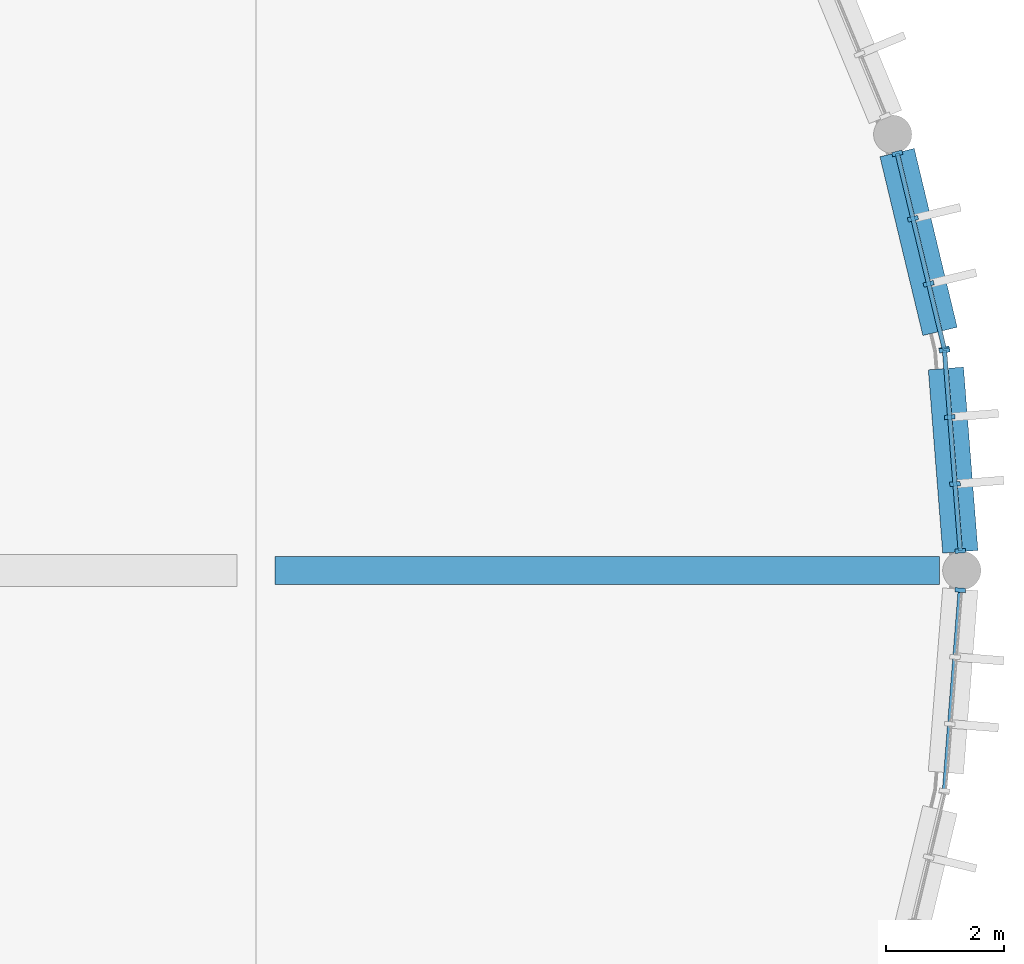
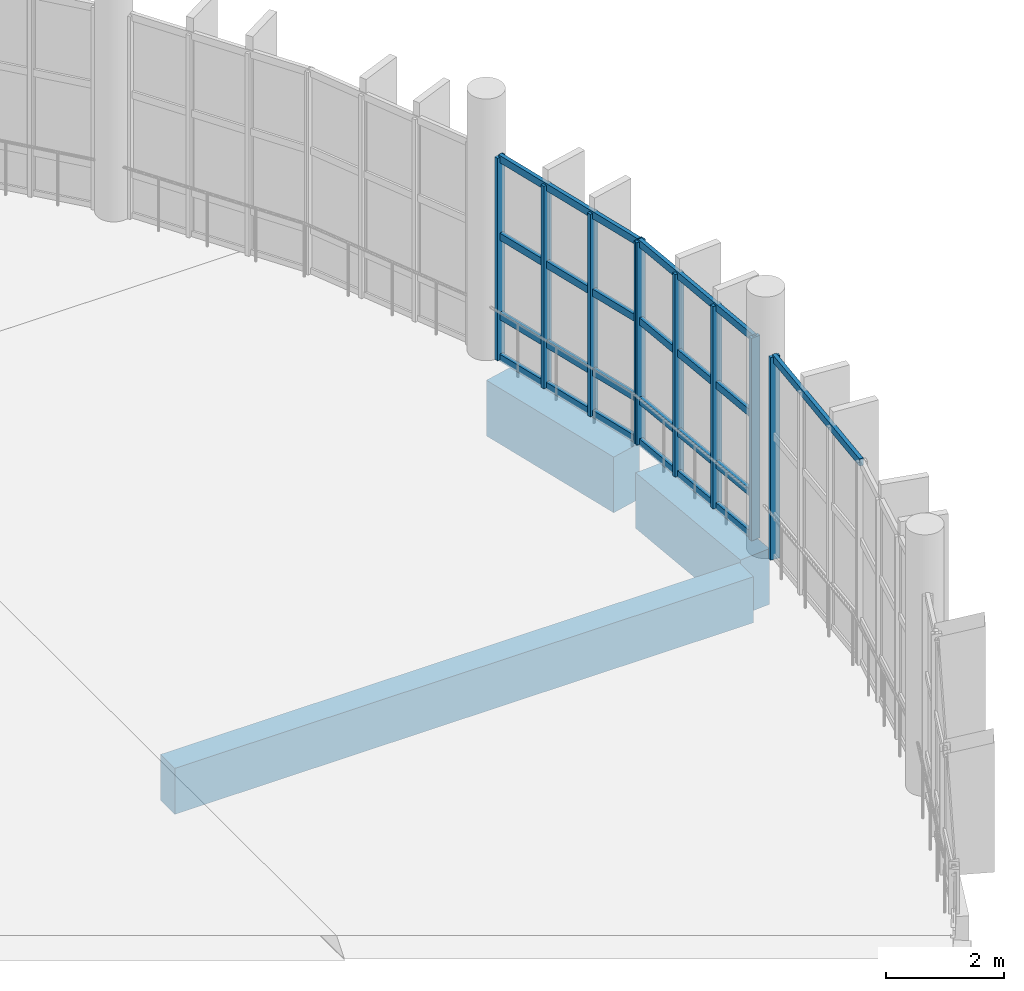
# One storey, part 50 of 112: 18 members, 3 beams, 3 elements without a shape of their own.
"""IFC4 building model written with IfcOpenShell, lengths in metres."""

from ifc_helpers import new_model, si_unit, direction, frame, origin, origin_2d, place, context, subcontext, project, spatial, rectangle, extrude, material, material_profile, profile_set, type_object, element, aggregate, save


model = new_model("IFC4")

# Units and contexts
model_context = context("Model", 3, precision=1e-05, world=origin(), true_north=direction((0.0, 1.0)))
body_context = subcontext(model_context, "Body", "Model", "MODEL_VIEW")
ifc_project = project(units=[si_unit("LENGTHUNIT", "METRE"), si_unit("AREAUNIT", "SQUARE_METRE"), si_unit("VOLUMEUNIT", "CUBIC_METRE"), si_unit("PLANEANGLEUNIT", "RADIAN"), si_unit("MASSUNIT", "GRAM", prefix="KILO")], contexts=[model_context])

# Site, building, storey
site_placement = place(None, origin())
site = spatial("IfcSite", under=ifc_project, at=site_placement, CompositionType="ELEMENT")
building_placement = place(site_placement, origin())
building = spatial("IfcBuilding", under=site, at=building_placement, Name="Kamomehara Wholesale Market", CompositionType="ELEMENT")
storey_placement = place(building_placement, frame((0.0, 0.0, 6.60009765625)))
storey = spatial("IfcBuildingStorey", under=building, at=storey_placement, Name="L01", CompositionType="ELEMENT", Elevation=6.60009765625)

# Beams
ifc_material_1 = material(Name="Precast concrete Fc45 (C40/50)", Category="concrete")
ifc_material_profile_1 = material_profile(ifc_material_1, rectangle(XDim=0.47998046875, YDim=0.949951171875, at=origin_2d()), Name="PC-GRD-480x950")
ifc_profile_set_1 = profile_set([ifc_material_profile_1], Name="Precast concrete Fc45 (C40/50)")
beam_type_1 = type_object("IfcBeamType", Name="BM-PG950", PredefinedType="T_BEAM", material=ifc_profile_set_1)
beam_1_placement = place(storey_placement, frame((192.324951171875, 132.0, -0.797119140625), z_axis=(1.0, 0.0, 0.0), x_axis=(0.0, 1.0, 0.0)))
element("IfcBeam", 1, at=beam_1_placement, inside=storey, type_object=beam_type_1, Name="Beam PG-16 L01", PredefinedType="T_BEAM", context=body_context, shape_type="SweptSolid", body=[
    extrude(rectangle(XDim=0.47998046875, YDim=0.949951171875, at=origin_2d()), origin(), (0.0, 0.0, 1.0), 11.300048828125),
])
ifc_material_2 = material(Name="Concrete Fc36 (C35/45)", Category="concrete")
ifc_material_profile_2 = material_profile(ifc_material_2, rectangle(XDim=0.60009765625, YDim=1.14990234375, at=origin_2d()), Name="RC-SEB-600x1150")
ifc_profile_set_2 = profile_set([ifc_material_profile_2], Name="Concrete Fc36 (C35/45)")
beam_type_2 = type_object("IfcBeamType", Name="BM-SEB1150-EXT", PredefinedType="SPANDREL", material=ifc_profile_set_2)
beam_2_placement = place(storey_placement, frame((203.97509765625, 132.319091796875, -0.897216796875), z_axis=(-0.078422618872, 0.996920203852, 0.0), x_axis=(-0.996920203852, -0.078422618872, 0.0)))
element("IfcBeam", 2, at=beam_2_placement, inside=storey, type_object=beam_type_2, Name="Beam SEB-02E L01", PredefinedType="SPANDREL", context=body_context, shape_type="SweptSolid", body=[
    extrude(rectangle(XDim=0.60009765625, YDim=1.14990234375, at=origin_2d()), origin(), (0.0, 0.0, 1.0), 3.12548828125),
])
beam_3_placement = place(storey_placement, frame((203.6298828125, 136.06494140625, -0.897216796875), z_axis=(-0.233485181261, 0.972360360222, 0.0), x_axis=(-0.972360360222, -0.233485181261, 0.0)))
element("IfcBeam", 3, at=beam_3_placement, inside=storey, type_object=beam_type_2, Name="Beam SEB-02E L01", PredefinedType="SPANDREL", context=body_context, shape_type="SweptSolid", body=[
    extrude(rectangle(XDim=0.60009765625, YDim=1.14990234375, at=origin_2d()), origin(), (0.0, 0.0, 1.0), 3.12646484375),
])

# Curtain wall, members
ifc_material_3 = material(Name="Anodised aluminium 6063-T5", Category="aluminium")
curtain_wall_type = type_object("IfcCurtainWallType", Name="CW-UN-05", PredefinedType="NOTDEFINED", material=ifc_material_3)
curtain_wall_1_placement = place(storey_placement, origin())
curtain_wall_1 = element("IfcCurtainWall", 4, at=curtain_wall_1_placement, inside=storey, type_object=curtain_wall_type, Name="Unitised curtain wall CW-105", PredefinedType="NOTDEFINED")
ifc_material_4 = material(Name="Anodised aluminium 6063-T5", Category="aluminium")
ifc_material_profile_3 = material_profile(ifc_material_4, rectangle(XDim=0.074951171875, YDim=0.179931640625, at=origin_2d()), Name="ALU-MUL-75x180")
ifc_profile_set_3 = profile_set([ifc_material_profile_3], Name="Anodised aluminium 6063-T5")
member_type_1 = type_object("IfcMemberType", Name="CW-MUL-180", PredefinedType="MULLION", material=ifc_profile_set_3)
member_1_placement = place(storey_placement, frame((202.903076171875, 139.090087890625, 0.0), z_axis=(0.0, 0.0, 1.0), x_axis=(0.233859436457, -0.972270417106, 0.0)))
member_1 = element("IfcMember", 5, at=member_1_placement, type_object=member_type_1, Name="Mullion CW-105.0", PredefinedType="MULLION", context=body_context, shape_type="SweptSolid", body=[
    extrude(rectangle(XDim=0.074951171875, YDim=0.179931640625, at=origin_2d()), origin(), (0.0, 0.0, 1.0), 4.179931640625),
])
member_2_placement = place(storey_placement, frame((203.169921875, 137.98095703125, 0.0), z_axis=(0.0, 0.0, 1.0), x_axis=(0.233859436457, -0.972270417106, 0.0)))
member_2 = element("IfcMember", 6, at=member_2_placement, type_object=member_type_1, Name="Mullion CW-105.1", PredefinedType="MULLION", context=body_context, shape_type="SweptSolid", body=[
    extrude(rectangle(XDim=0.074951171875, YDim=0.179931640625, at=origin_2d()), origin(), (0.0, 0.0, 1.0), 4.179931640625),
])
member_3_placement = place(storey_placement, frame((203.43603515625, 136.873046875, 0.0), z_axis=(0.0, 0.0, 1.0), x_axis=(0.233859436457, -0.972270417106, 0.0)))
member_3 = element("IfcMember", 7, at=member_3_placement, type_object=member_type_1, Name="Mullion CW-105.2", PredefinedType="MULLION", context=body_context, shape_type="SweptSolid", body=[
    extrude(rectangle(XDim=0.074951171875, YDim=0.179931640625, at=origin_2d()), origin(), (0.0, 0.0, 1.0), 4.179931640625),
])
member_4_placement = place(storey_placement, frame((203.702880859375, 135.763916015625, 0.0), z_axis=(0.0, 0.0, 1.0), x_axis=(0.233859436457, -0.972270417106, 0.0)))
member_4 = element("IfcMember", 8, at=member_4_placement, type_object=member_type_1, Name="Mullion CW-105.3", PredefinedType="MULLION", context=body_context, shape_type="SweptSolid", body=[
    extrude(rectangle(XDim=0.074951171875, YDim=0.179931640625, at=origin_2d()), origin(), (0.0, 0.0, 1.0), 4.179931640625),
])

curtain_wall_2_placement = place(storey_placement, origin())
curtain_wall_2 = element("IfcCurtainWall", 9, at=curtain_wall_2_placement, inside=storey, type_object=curtain_wall_type, Name="Unitised curtain wall CW-106", PredefinedType="NOTDEFINED")
member_5_placement = place(storey_placement, frame((203.7060546875, 135.743896484375, 0.0), z_axis=(0.0, 0.0, 1.0), x_axis=(0.078351218432, -0.996925817988, 0.0)))
member_5 = element("IfcMember", 10, at=member_5_placement, type_object=member_type_1, Name="Mullion CW-106.0", PredefinedType="MULLION", context=body_context, shape_type="SweptSolid", body=[
    extrude(rectangle(XDim=0.074951171875, YDim=0.179931640625, at=origin_2d()), origin(), (0.0, 0.0, 1.0), 4.179931640625),
])
member_6_placement = place(storey_placement, frame((203.794921875, 134.60693359375, 0.0), z_axis=(0.0, 0.0, 1.0), x_axis=(0.078351218432, -0.996925817988, 0.0)))
member_6 = element("IfcMember", 11, at=member_6_placement, type_object=member_type_1, Name="Mullion CW-106.1", PredefinedType="MULLION", context=body_context, shape_type="SweptSolid", body=[
    extrude(rectangle(XDim=0.074951171875, YDim=0.179931640625, at=origin_2d()), origin(), (0.0, 0.0, 1.0), 4.179931640625),
])
member_7_placement = place(storey_placement, frame((203.885009765625, 133.470947265625, 0.0), z_axis=(0.0, 0.0, 1.0), x_axis=(0.078351218432, -0.996925817988, 0.0)))
member_7 = element("IfcMember", 12, at=member_7_placement, type_object=member_type_1, Name="Mullion CW-106.2", PredefinedType="MULLION", context=body_context, shape_type="SweptSolid", body=[
    extrude(rectangle(XDim=0.074951171875, YDim=0.179931640625, at=origin_2d()), origin(), (0.0, 0.0, 1.0), 4.179931640625),
])
member_8_placement = place(storey_placement, frame((203.97412109375, 132.333984375, 0.0), z_axis=(0.0, 0.0, 1.0), x_axis=(0.078351218432, -0.996925817988, 0.0)))
member_8 = element("IfcMember", 13, at=member_8_placement, type_object=member_type_1, Name="Mullion CW-106.3", PredefinedType="MULLION", context=body_context, shape_type="SweptSolid", body=[
    extrude(rectangle(XDim=0.074951171875, YDim=0.179931640625, at=origin_2d()), origin(), (0.0, 0.0, 1.0), 4.179931640625),
])

# Curtain wall, member
curtain_wall_3_placement = place(storey_placement, origin())
curtain_wall_3 = element("IfcCurtainWall", 14, at=curtain_wall_3_placement, inside=storey, type_object=curtain_wall_type, Name="Unitised curtain wall CW-107", PredefinedType="NOTDEFINED")
member_9_placement = place(storey_placement, frame((203.97412109375, 131.666015625, 0.0), z_axis=(0.0, 0.0, 1.0), x_axis=(-0.078351218432, -0.996925817988, 0.0)))
member_9 = element("IfcMember", 15, at=member_9_placement, type_object=member_type_1, Name="Mullion CW-107.0", PredefinedType="MULLION", context=body_context, shape_type="SweptSolid", body=[
    extrude(rectangle(XDim=0.074951171875, YDim=0.179931640625, at=origin_2d()), origin(), (0.0, 0.0, 1.0), 4.179931640625),
])

# Member
ifc_material_5 = material(Name="Anodised aluminium 6063-T5", Category="aluminium")
ifc_material_profile_4 = material_profile(ifc_material_5, rectangle(XDim=0.074951171875, YDim=0.14990234375, at=origin_2d()), Name="ALU-TRN-75x150")
ifc_profile_set_4 = profile_set([ifc_material_profile_4], Name="Anodised aluminium 6063-T5")
member_type_2 = type_object("IfcMemberType", Name="CW-TRN-150", PredefinedType="USERDEFINED", material=ifc_profile_set_4)
member_10_placement = place(storey_placement, frame((202.903076171875, 139.090087890625, 0.039794921875), z_axis=(0.23379399896, -0.972286154406, 0.0), x_axis=(0.972286154406, 0.23379399896, 0.0)))
member_10 = element("IfcMember", 16, at=member_10_placement, type_object=member_type_2, Name="Transom CW-105.0", ObjectType="TRANSOM", PredefinedType="USERDEFINED", context=body_context, shape_type="SweptSolid", body=[
    extrude(rectangle(XDim=0.074951171875, YDim=0.14990234375, at=origin_2d()), origin(), (0.0, 0.0, 1.0), 3.4208984375),
])

member_11_placement = place(storey_placement, frame((202.903076171875, 139.090087890625, 0.89990234375), z_axis=(0.23379399896, -0.972286154406, 0.0), x_axis=(0.972286154406, 0.23379399896, 0.0)))
member_11 = element("IfcMember", 17, at=member_11_placement, type_object=member_type_2, Name="Transom CW-105.1", ObjectType="TRANSOM", PredefinedType="USERDEFINED", context=body_context, shape_type="SweptSolid", body=[
    extrude(rectangle(XDim=0.074951171875, YDim=0.14990234375, at=origin_2d()), origin(), (0.0, 0.0, 1.0), 3.4208984375),
])

member_12_placement = place(storey_placement, frame((202.903076171875, 139.090087890625, 2.539794921875), z_axis=(0.23379399896, -0.972286154406, 0.0), x_axis=(0.972286154406, 0.23379399896, 0.0)))
member_12 = element("IfcMember", 18, at=member_12_placement, type_object=member_type_2, Name="Transom CW-105.2", ObjectType="TRANSOM", PredefinedType="USERDEFINED", context=body_context, shape_type="SweptSolid", body=[
    extrude(rectangle(XDim=0.074951171875, YDim=0.14990234375, at=origin_2d()), origin(), (0.0, 0.0, 1.0), 3.4208984375),
])

member_13_placement = place(storey_placement, frame((202.903076171875, 139.090087890625, 4.139892578125), z_axis=(0.23379399896, -0.972286154406, 0.0), x_axis=(0.972286154406, 0.23379399896, 0.0)))
member_13 = element("IfcMember", 19, at=member_13_placement, type_object=member_type_2, Name="Transom CW-105.3", ObjectType="TRANSOM", PredefinedType="USERDEFINED", context=body_context, shape_type="SweptSolid", body=[
    extrude(rectangle(XDim=0.074951171875, YDim=0.14990234375, at=origin_2d()), origin(), (0.0, 0.0, 1.0), 3.4208984375),
])

aggregate(curtain_wall_1, [member_1, member_2, member_3, member_4, member_10, member_11, member_12, member_13])

member_14_placement = place(storey_placement, frame((203.7060546875, 135.743896484375, 0.039794921875), z_axis=(0.078372073333, -0.996924178723, 0.0), x_axis=(0.996924178723, 0.078372073333, 0.0)))
member_14 = element("IfcMember", 20, at=member_14_placement, type_object=member_type_2, Name="Transom CW-106.0", ObjectType="TRANSOM", PredefinedType="USERDEFINED", context=body_context, shape_type="SweptSolid", body=[
    extrude(rectangle(XDim=0.074951171875, YDim=0.14990234375, at=origin_2d()), origin(), (0.0, 0.0, 1.0), 3.42041015625),
])

member_15_placement = place(storey_placement, frame((203.7060546875, 135.743896484375, 0.89990234375), z_axis=(0.078372073333, -0.996924178723, 0.0), x_axis=(0.996924178723, 0.078372073333, 0.0)))
member_15 = element("IfcMember", 21, at=member_15_placement, type_object=member_type_2, Name="Transom CW-106.1", ObjectType="TRANSOM", PredefinedType="USERDEFINED", context=body_context, shape_type="SweptSolid", body=[
    extrude(rectangle(XDim=0.074951171875, YDim=0.14990234375, at=origin_2d()), origin(), (0.0, 0.0, 1.0), 3.42041015625),
])

member_16_placement = place(storey_placement, frame((203.7060546875, 135.743896484375, 2.539794921875), z_axis=(0.078372073333, -0.996924178723, 0.0), x_axis=(0.996924178723, 0.078372073333, 0.0)))
member_16 = element("IfcMember", 22, at=member_16_placement, type_object=member_type_2, Name="Transom CW-106.2", ObjectType="TRANSOM", PredefinedType="USERDEFINED", context=body_context, shape_type="SweptSolid", body=[
    extrude(rectangle(XDim=0.074951171875, YDim=0.14990234375, at=origin_2d()), origin(), (0.0, 0.0, 1.0), 3.42041015625),
])

member_17_placement = place(storey_placement, frame((203.7060546875, 135.743896484375, 4.139892578125), z_axis=(0.078372073333, -0.996924178723, 0.0), x_axis=(0.996924178723, 0.078372073333, 0.0)))
member_17 = element("IfcMember", 23, at=member_17_placement, type_object=member_type_2, Name="Transom CW-106.3", ObjectType="TRANSOM", PredefinedType="USERDEFINED", context=body_context, shape_type="SweptSolid", body=[
    extrude(rectangle(XDim=0.074951171875, YDim=0.14990234375, at=origin_2d()), origin(), (0.0, 0.0, 1.0), 3.42041015625),
])

aggregate(curtain_wall_2, [member_5, member_6, member_7, member_8, member_14, member_15, member_16, member_17])

member_18_placement = place(storey_placement, frame((203.97412109375, 131.666015625, 4.139892578125), z_axis=(-0.078372073333, -0.996924178723, 0.0), x_axis=(0.996924178723, -0.078372073333, 0.0)))
member_18 = element("IfcMember", 24, at=member_18_placement, type_object=member_type_2, Name="Transom CW-107.3", ObjectType="TRANSOM", PredefinedType="USERDEFINED", context=body_context, shape_type="SweptSolid", body=[
    extrude(rectangle(XDim=0.074951171875, YDim=0.14990234375, at=origin_2d()), origin(), (0.0, 0.0, 1.0), 3.42041015625),
])

aggregate(curtain_wall_3, [member_9, member_18])

save(model, "model.ifc")
